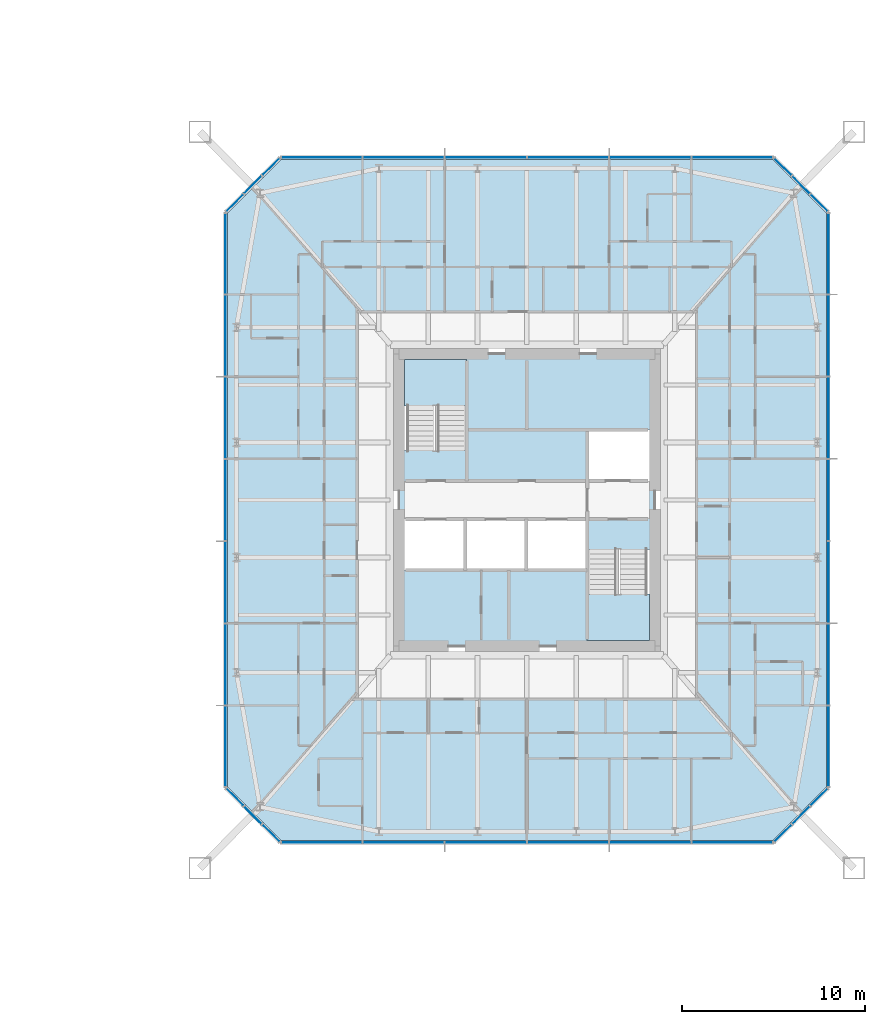
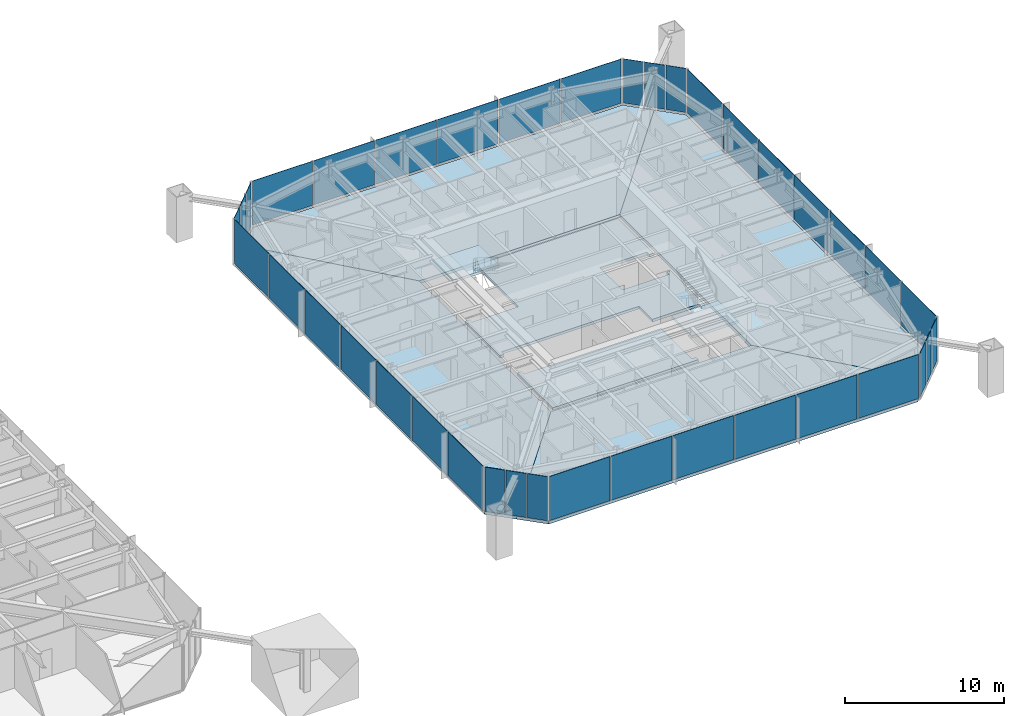
# One storey, part 13 of 26: 38 plates, 8 slabs, 10 elements without a shape of their own.
"""IFC4 building model written with IfcOpenShell, lengths in metres."""

from ifc_helpers import new_model, si_unit, direction, frame, origin, origin_2d, place, context, subcontext, project, spatial, polyline, rectangle, outline, extrude, material, layer, layer_set, constituent, constituent_set, type_object, element, aggregate, save


model = new_model("IFC4")

# Units and contexts
model_context = context("Model", 3, precision=1e-05, world=origin(), true_north=direction((0.0, 1.0)))
body_context = subcontext(model_context, "Body", "Model", "MODEL_VIEW")
ifc_project = project(units=[si_unit("LENGTHUNIT", "METRE"), si_unit("AREAUNIT", "SQUARE_METRE"), si_unit("VOLUMEUNIT", "CUBIC_METRE"), si_unit("PLANEANGLEUNIT", "RADIAN"), si_unit("MASSUNIT", "GRAM", prefix="KILO")], contexts=[model_context])

# Site, building, storey
site_placement = place(None, origin())
site = spatial("IfcSite", under=ifc_project, at=site_placement, CompositionType="ELEMENT")
building_placement = place(site_placement, origin())
building = spatial("IfcBuilding", under=site, at=building_placement, Name="Iwan Alto Co-Living Towers", CompositionType="ELEMENT")
storey_placement = place(building_placement, frame((0.0, 0.0, 18.5)))
storey = spatial("IfcBuildingStorey", under=building, at=storey_placement, Name="L04", CompositionType="ELEMENT", Elevation=18.5)

# Slabs
ifc_material_1 = material(Name="Concrete f'c 30 MPa", Category="concrete")
ifc_layer_1 = layer(ifc_material_1, 0.199951171875)
ifc_layer_set_1 = layer_set([ifc_layer_1], Name="CORE FLOOR SLAB 200")
slab_type_1 = type_object("IfcSlabType", Name="CORE FLOOR SLAB 200", PredefinedType="FLOOR", material=ifc_layer_set_1)
slab_1_placement = place(storey_placement, frame((0.0, 0.0, -0.199951171875)))
element("IfcSlab", 1, at=slab_1_placement, inside=storey, type_object=slab_type_1, Name="T2 core floor L04", PredefinedType="FLOOR", context=body_context, shape_type="SweptSolid", body=[
    extrude(outline(polyline([(70.0, -3.030029296875), (69.699951171875, -3.030029296875), (69.699951171875, -2.719970703125), (66.300048828125, -2.719970703125), (66.300048828125, -1.050048828125), (62.967041015625, -1.050048828125), (59.633056640625, -1.050048828125), (56.300048828125, -1.050048828125), (56.300048828125, -1.360107421875), (56.0, -1.360107421875), (56.0, 3.030029296875), (56.300048828125, 3.030029296875), (56.300048828125, 2.719970703125), (59.699951171875, 2.719970703125), (59.699951171875, 7.699951171875), (59.389892578125, 7.699951171875), (59.389892578125, 8.0), (70.0, 8.0), (70.0, 3.5400390625), (69.699951171875, 3.5400390625), (69.699951171875, 3.85009765625), (66.300048828125, 3.85009765625), (66.300048828125, 1.050048828125), (69.699951171875, 1.050048828125), (69.699951171875, 1.360107421875), (70.0, 1.360107421875), (70.0, -3.030029296875)])), origin(), (0.0, 0.0, 1.0), 0.199951171875),
])
slab_2_placement = place(storey_placement, frame((0.0, 0.0, -0.199951171875)))
element("IfcSlab", 2, at=slab_2_placement, inside=storey, type_object=slab_type_1, Name="T2 core floor L04", PredefinedType="FLOOR", context=body_context, shape_type="SweptSolid", body=[
    extrude(outline(polyline([(62.967041015625, -3.85009765625), (66.300048828125, -3.85009765625), (66.300048828125, -7.699951171875), (66.610107421875, -7.699951171875), (66.610107421875, -8.0), (56.0, -8.0), (56.0, -3.5400390625), (56.300048828125, -3.5400390625), (56.300048828125, -3.85009765625), (59.633056640625, -3.85009765625), (62.967041015625, -3.85009765625)])), origin(), (0.0, 0.0, 1.0), 0.199951171875),
])

# Curtain wall, plates
ifc_material_2 = material(Name="Bronze aluminium unitised frame", Category="aluminium")
curtain_wall_type_1 = type_object("IfcCurtainWallType", Name="CURTAIN WALL CW-C", PredefinedType="NOTDEFINED", material=ifc_material_2)
curtain_wall_1_placement = place(storey_placement, origin())
curtain_wall_1 = element("IfcCurtainWall", 3, at=curtain_wall_1_placement, inside=storey, type_object=curtain_wall_type_1, Name="T2 curtain wall S L04", PredefinedType="NOTDEFINED")
ifc_material_3 = material(Name="Bronze-tinted insulating glass", Category="glass")
ifc_layer_2 = layer(ifc_material_3, 0.031982421875)
ifc_layer_set_2 = layer_set([ifc_layer_2], Name="CW-C PANEL TINTED IGU 32")
plate_type_1 = type_object("IfcPlateType", Name="CW-C PANEL TINTED IGU 32", PredefinedType="CURTAIN_PANEL", material=ifc_layer_set_2)
plate_1_placement = place(storey_placement, frame((51.77001953125, -18.75, 0.10009765625), z_axis=(0.0, 0.0, 1.0), x_axis=(1.0, 0.0, 0.0)))
plate_1 = element("IfcPlate", 4, at=plate_1_placement, type_object=plate_type_1, Name="CW-C panel 1.1", PredefinedType="CURTAIN_PANEL", context=body_context, shape_type="SweptSolid", body=[
    extrude(rectangle(XDim=4.3798828125, YDim=0.031982421875, at=origin_2d()), origin(), (0.0, 0.0, 1.0), 3.39990234375),
])
plate_2_placement = place(storey_placement, frame((56.25, -18.75, 0.10009765625), z_axis=(0.0, 0.0, 1.0), x_axis=(1.0, 0.0, 0.0)))
plate_2 = element("IfcPlate", 5, at=plate_2_placement, type_object=plate_type_1, Name="CW-C panel 2.1", PredefinedType="CURTAIN_PANEL", context=body_context, shape_type="SweptSolid", body=[
    extrude(rectangle(XDim=4.419921875, YDim=0.031982421875, at=origin_2d()), origin(), (0.0, 0.0, 1.0), 3.39990234375),
])
plate_3_placement = place(storey_placement, frame((69.75, -18.75, 0.10009765625), z_axis=(0.0, 0.0, 1.0), x_axis=(1.0, 0.0, 0.0)))
plate_3 = element("IfcPlate", 6, at=plate_3_placement, type_object=plate_type_1, Name="CW-C panel 5.1", PredefinedType="CURTAIN_PANEL", context=body_context, shape_type="SweptSolid", body=[
    extrude(rectangle(XDim=4.419921875, YDim=0.031982421875, at=origin_2d()), origin(), (0.0, 0.0, 1.0), 3.39990234375),
])
plate_4_placement = place(storey_placement, frame((74.22998046875, -18.75, 0.10009765625), z_axis=(0.0, 0.0, 1.0), x_axis=(1.0, 0.0, 0.0)))
plate_4 = element("IfcPlate", 7, at=plate_4_placement, type_object=plate_type_1, Name="CW-C panel 6.1", PredefinedType="CURTAIN_PANEL", context=body_context, shape_type="SweptSolid", body=[
    extrude(rectangle(XDim=4.3798828125, YDim=0.031982421875, at=origin_2d()), origin(), (0.0, 0.0, 1.0), 3.39990234375),
])

curtain_wall_2_placement = place(storey_placement, origin())
curtain_wall_2 = element("IfcCurtainWall", 8, at=curtain_wall_2_placement, inside=storey, type_object=curtain_wall_type_1, Name="T2 curtain wall E L04", PredefinedType="NOTDEFINED")
plate_5_placement = place(storey_placement, frame((79.5, -13.47998046875, 0.10009765625), z_axis=(0.0, 0.0, 1.0), x_axis=(0.0, 1.0, 0.0)))
plate_5 = element("IfcPlate", 9, at=plate_5_placement, type_object=plate_type_1, Name="CW-C panel 1.1", PredefinedType="CURTAIN_PANEL", context=body_context, shape_type="SweptSolid", body=[
    extrude(rectangle(XDim=4.3798828125, YDim=0.031982421875, at=origin_2d()), origin(), (0.0, 0.0, 1.0), 3.39990234375),
])
plate_6_placement = place(storey_placement, frame((79.5, -9.0, 0.10009765625), z_axis=(0.0, 0.0, 1.0), x_axis=(0.0, 1.0, 0.0)))
plate_6 = element("IfcPlate", 10, at=plate_6_placement, type_object=plate_type_1, Name="CW-C panel 2.1", PredefinedType="CURTAIN_PANEL", context=body_context, shape_type="SweptSolid", body=[
    extrude(rectangle(XDim=4.419921875, YDim=0.031982421875, at=origin_2d()), origin(), (0.0, 0.0, 1.0), 3.39990234375),
])
plate_7_placement = place(storey_placement, frame((79.5, 9.0, 0.10009765625), z_axis=(0.0, 0.0, 1.0), x_axis=(0.0, 1.0, 0.0)))
plate_7 = element("IfcPlate", 11, at=plate_7_placement, type_object=plate_type_1, Name="CW-C panel 6.1", PredefinedType="CURTAIN_PANEL", context=body_context, shape_type="SweptSolid", body=[
    extrude(rectangle(XDim=4.419921875, YDim=0.031982421875, at=origin_2d()), origin(), (0.0, 0.0, 1.0), 3.39990234375),
])
plate_8_placement = place(storey_placement, frame((79.5, 13.47998046875, 0.10009765625), z_axis=(0.0, 0.0, 1.0), x_axis=(0.0, 1.0, 0.0)))
plate_8 = element("IfcPlate", 12, at=plate_8_placement, type_object=plate_type_1, Name="CW-C panel 7.1", PredefinedType="CURTAIN_PANEL", context=body_context, shape_type="SweptSolid", body=[
    extrude(rectangle(XDim=4.3798828125, YDim=0.031982421875, at=origin_2d()), origin(), (0.0, 0.0, 1.0), 3.39990234375),
])

curtain_wall_3_placement = place(storey_placement, origin())
curtain_wall_3 = element("IfcCurtainWall", 13, at=curtain_wall_3_placement, inside=storey, type_object=curtain_wall_type_1, Name="T2 curtain wall N L04", PredefinedType="NOTDEFINED")
plate_9_placement = place(storey_placement, frame((74.22998046875, 18.75, 0.10009765625), z_axis=(0.0, 0.0, 1.0), x_axis=(-1.0, 0.0, 0.0)))
plate_9 = element("IfcPlate", 14, at=plate_9_placement, type_object=plate_type_1, Name="CW-C panel 1.1", PredefinedType="CURTAIN_PANEL", context=body_context, shape_type="SweptSolid", body=[
    extrude(rectangle(XDim=4.3798828125, YDim=0.031982421875, at=origin_2d()), origin(), (0.0, 0.0, 1.0), 3.39990234375),
])
plate_10_placement = place(storey_placement, frame((69.75, 18.75, 0.10009765625), z_axis=(0.0, 0.0, 1.0), x_axis=(-1.0, 0.0, 0.0)))
plate_10 = element("IfcPlate", 15, at=plate_10_placement, type_object=plate_type_1, Name="CW-C panel 2.1", PredefinedType="CURTAIN_PANEL", context=body_context, shape_type="SweptSolid", body=[
    extrude(rectangle(XDim=4.419921875, YDim=0.031982421875, at=origin_2d()), origin(), (0.0, 0.0, 1.0), 3.39990234375),
])
plate_11_placement = place(storey_placement, frame((56.25, 18.75, 0.10009765625), z_axis=(0.0, 0.0, 1.0), x_axis=(-1.0, 0.0, 0.0)))
plate_11 = element("IfcPlate", 16, at=plate_11_placement, type_object=plate_type_1, Name="CW-C panel 5.1", PredefinedType="CURTAIN_PANEL", context=body_context, shape_type="SweptSolid", body=[
    extrude(rectangle(XDim=4.419921875, YDim=0.031982421875, at=origin_2d()), origin(), (0.0, 0.0, 1.0), 3.39990234375),
])
plate_12_placement = place(storey_placement, frame((51.77001953125, 18.75, 0.10009765625), z_axis=(0.0, 0.0, 1.0), x_axis=(-1.0, 0.0, 0.0)))
plate_12 = element("IfcPlate", 17, at=plate_12_placement, type_object=plate_type_1, Name="CW-C panel 6.1", PredefinedType="CURTAIN_PANEL", context=body_context, shape_type="SweptSolid", body=[
    extrude(rectangle(XDim=4.3798828125, YDim=0.031982421875, at=origin_2d()), origin(), (0.0, 0.0, 1.0), 3.39990234375),
])

curtain_wall_4_placement = place(storey_placement, origin())
curtain_wall_4 = element("IfcCurtainWall", 18, at=curtain_wall_4_placement, inside=storey, type_object=curtain_wall_type_1, Name="T2 curtain wall W L04", PredefinedType="NOTDEFINED")
plate_13_placement = place(storey_placement, frame((46.5, 13.47998046875, 0.10009765625), z_axis=(0.0, 0.0, 1.0), x_axis=(0.0, -1.0, 0.0)))
plate_13 = element("IfcPlate", 19, at=plate_13_placement, type_object=plate_type_1, Name="CW-C panel 1.1", PredefinedType="CURTAIN_PANEL", context=body_context, shape_type="SweptSolid", body=[
    extrude(rectangle(XDim=4.3798828125, YDim=0.031982421875, at=origin_2d()), origin(), (0.0, 0.0, 1.0), 3.39990234375),
])
plate_14_placement = place(storey_placement, frame((46.5, 9.0, 0.10009765625), z_axis=(0.0, 0.0, 1.0), x_axis=(0.0, -1.0, 0.0)))
plate_14 = element("IfcPlate", 20, at=plate_14_placement, type_object=plate_type_1, Name="CW-C panel 2.1", PredefinedType="CURTAIN_PANEL", context=body_context, shape_type="SweptSolid", body=[
    extrude(rectangle(XDim=4.419921875, YDim=0.031982421875, at=origin_2d()), origin(), (0.0, 0.0, 1.0), 3.39990234375),
])
plate_15_placement = place(storey_placement, frame((46.5, -9.0, 0.10009765625), z_axis=(0.0, 0.0, 1.0), x_axis=(0.0, -1.0, 0.0)))
plate_15 = element("IfcPlate", 21, at=plate_15_placement, type_object=plate_type_1, Name="CW-C panel 6.1", PredefinedType="CURTAIN_PANEL", context=body_context, shape_type="SweptSolid", body=[
    extrude(rectangle(XDim=4.419921875, YDim=0.031982421875, at=origin_2d()), origin(), (0.0, 0.0, 1.0), 3.39990234375),
])
plate_16_placement = place(storey_placement, frame((46.5, -13.47998046875, 0.10009765625), z_axis=(0.0, 0.0, 1.0), x_axis=(0.0, -1.0, 0.0)))
plate_16 = element("IfcPlate", 22, at=plate_16_placement, type_object=plate_type_1, Name="CW-C panel 7.1", PredefinedType="CURTAIN_PANEL", context=body_context, shape_type="SweptSolid", body=[
    extrude(rectangle(XDim=4.3798828125, YDim=0.031982421875, at=origin_2d()), origin(), (0.0, 0.0, 1.0), 3.39990234375),
])

# Plate
ifc_material_4 = material(Name="Insulated bronze aluminium spandrel panel", Category="aluminium")
ifc_layer_3 = layer(ifc_material_4, 0.031982421875)
ifc_layer_set_3 = layer_set([ifc_layer_3], Name="CW-C SPANDREL PANEL 32")
plate_type_2 = type_object("IfcPlateType", Name="CW-C SPANDREL PANEL 32", PredefinedType="CURTAIN_PANEL", material=ifc_layer_set_3)
plate_17_placement = place(storey_placement, frame((60.75, -18.75, 0.10009765625), z_axis=(0.0, 0.0, 1.0), x_axis=(1.0, 0.0, 0.0)))
plate_17 = element("IfcPlate", 23, at=plate_17_placement, type_object=plate_type_2, Name="CW-C spandrel panel 3.1 (braced bay)", PredefinedType="CURTAIN_PANEL", context=body_context, shape_type="SweptSolid", body=[
    extrude(rectangle(XDim=4.419921875, YDim=0.031982421875, at=origin_2d()), origin(), (0.0, 0.0, 1.0), 3.39990234375),
])

plate_18_placement = place(storey_placement, frame((65.25, -18.75, 0.10009765625), z_axis=(0.0, 0.0, 1.0), x_axis=(1.0, 0.0, 0.0)))
plate_18 = element("IfcPlate", 24, at=plate_18_placement, type_object=plate_type_2, Name="CW-C spandrel panel 4.1 (braced bay)", PredefinedType="CURTAIN_PANEL", context=body_context, shape_type="SweptSolid", body=[
    extrude(rectangle(XDim=4.419921875, YDim=0.031982421875, at=origin_2d()), origin(), (0.0, 0.0, 1.0), 3.39990234375),
])

aggregate(curtain_wall_1, [plate_1, plate_2, plate_3, plate_4, plate_17, plate_18])

plate_19_placement = place(storey_placement, frame((79.5, -4.5, 0.10009765625), z_axis=(0.0, 0.0, 1.0), x_axis=(0.0, 1.0, 0.0)))
plate_19 = element("IfcPlate", 25, at=plate_19_placement, type_object=plate_type_2, Name="CW-C spandrel panel 3.1 (braced bay)", PredefinedType="CURTAIN_PANEL", context=body_context, shape_type="SweptSolid", body=[
    extrude(rectangle(XDim=4.419921875, YDim=0.031982421875, at=origin_2d()), origin(), (0.0, 0.0, 1.0), 3.39990234375),
])

plate_20_placement = place(storey_placement, frame((79.5, 0.0, 0.10009765625), z_axis=(0.0, 0.0, 1.0), x_axis=(0.0, 1.0, 0.0)))
plate_20 = element("IfcPlate", 26, at=plate_20_placement, type_object=plate_type_2, Name="CW-C spandrel panel 4.1 (braced bay)", PredefinedType="CURTAIN_PANEL", context=body_context, shape_type="SweptSolid", body=[
    extrude(rectangle(XDim=4.419921875, YDim=0.031982421875, at=origin_2d()), origin(), (0.0, 0.0, 1.0), 3.39990234375),
])

plate_21_placement = place(storey_placement, frame((79.5, 4.5, 0.10009765625), z_axis=(0.0, 0.0, 1.0), x_axis=(0.0, 1.0, 0.0)))
plate_21 = element("IfcPlate", 27, at=plate_21_placement, type_object=plate_type_2, Name="CW-C spandrel panel 5.1 (braced bay)", PredefinedType="CURTAIN_PANEL", context=body_context, shape_type="SweptSolid", body=[
    extrude(rectangle(XDim=4.419921875, YDim=0.031982421875, at=origin_2d()), origin(), (0.0, 0.0, 1.0), 3.39990234375),
])

aggregate(curtain_wall_2, [plate_5, plate_6, plate_7, plate_8, plate_19, plate_20, plate_21])

plate_22_placement = place(storey_placement, frame((65.25, 18.75, 0.10009765625), z_axis=(0.0, 0.0, 1.0), x_axis=(-1.0, 0.0, 0.0)))
plate_22 = element("IfcPlate", 28, at=plate_22_placement, type_object=plate_type_2, Name="CW-C spandrel panel 3.1 (braced bay)", PredefinedType="CURTAIN_PANEL", context=body_context, shape_type="SweptSolid", body=[
    extrude(rectangle(XDim=4.419921875, YDim=0.031982421875, at=origin_2d()), origin(), (0.0, 0.0, 1.0), 3.39990234375),
])

plate_23_placement = place(storey_placement, frame((60.75, 18.75, 0.10009765625), z_axis=(0.0, 0.0, 1.0), x_axis=(-1.0, 0.0, 0.0)))
plate_23 = element("IfcPlate", 29, at=plate_23_placement, type_object=plate_type_2, Name="CW-C spandrel panel 4.1 (braced bay)", PredefinedType="CURTAIN_PANEL", context=body_context, shape_type="SweptSolid", body=[
    extrude(rectangle(XDim=4.419921875, YDim=0.031982421875, at=origin_2d()), origin(), (0.0, 0.0, 1.0), 3.39990234375),
])

aggregate(curtain_wall_3, [plate_9, plate_10, plate_11, plate_12, plate_22, plate_23])

plate_24_placement = place(storey_placement, frame((46.5, 4.5, 0.10009765625), z_axis=(0.0, 0.0, 1.0), x_axis=(0.0, -1.0, 0.0)))
plate_24 = element("IfcPlate", 30, at=plate_24_placement, type_object=plate_type_2, Name="CW-C spandrel panel 3.1 (braced bay)", PredefinedType="CURTAIN_PANEL", context=body_context, shape_type="SweptSolid", body=[
    extrude(rectangle(XDim=4.419921875, YDim=0.031982421875, at=origin_2d()), origin(), (0.0, 0.0, 1.0), 3.39990234375),
])

plate_25_placement = place(storey_placement, frame((46.5, 0.0, 0.10009765625), z_axis=(0.0, 0.0, 1.0), x_axis=(0.0, -1.0, 0.0)))
plate_25 = element("IfcPlate", 31, at=plate_25_placement, type_object=plate_type_2, Name="CW-C spandrel panel 4.1 (braced bay)", PredefinedType="CURTAIN_PANEL", context=body_context, shape_type="SweptSolid", body=[
    extrude(rectangle(XDim=4.419921875, YDim=0.031982421875, at=origin_2d()), origin(), (0.0, 0.0, 1.0), 3.39990234375),
])

plate_26_placement = place(storey_placement, frame((46.5, -4.5, 0.10009765625), z_axis=(0.0, 0.0, 1.0), x_axis=(0.0, -1.0, 0.0)))
plate_26 = element("IfcPlate", 32, at=plate_26_placement, type_object=plate_type_2, Name="CW-C spandrel panel 5.1 (braced bay)", PredefinedType="CURTAIN_PANEL", context=body_context, shape_type="SweptSolid", body=[
    extrude(rectangle(XDim=4.419921875, YDim=0.031982421875, at=origin_2d()), origin(), (0.0, 0.0, 1.0), 3.39990234375),
])

aggregate(curtain_wall_4, [plate_13, plate_14, plate_15, plate_16, plate_24, plate_25, plate_26])

# Curtain wall, plates
ifc_material_5 = material(Name="Bronze aluminium unitised frame", Category="aluminium")
curtain_wall_type_2 = type_object("IfcCurtainWallType", Name="CURTAIN WALL CW-D", PredefinedType="NOTDEFINED", material=ifc_material_5)
curtain_wall_5_placement = place(storey_placement, origin())
curtain_wall_5 = element("IfcCurtainWall", 33, at=curtain_wall_5_placement, inside=storey, type_object=curtain_wall_type_2, Name="T2 chamfer curtain wall SE L04", PredefinedType="NOTDEFINED")
ifc_material_6 = material(Name="Bronze-tinted insulating glass", Category="glass")
ifc_layer_4 = layer(ifc_material_6, 0.031982421875)
ifc_layer_set_4 = layer_set([ifc_layer_4], Name="CW-D PANEL TINTED IGU 32")
plate_type_3 = type_object("IfcPlateType", Name="CW-D PANEL TINTED IGU 32", PredefinedType="CURTAIN_PANEL", material=ifc_layer_set_4)
plate_27_placement = place(storey_placement, frame((77.01416015625, -18.23583984375, 0.10009765625), z_axis=(0.0, 0.0, 1.0), x_axis=(0.707106781187, 0.707106781187, 0.0)))
plate_27 = element("IfcPlate", 34, at=plate_27_placement, type_object=plate_type_3, Name="CW-D panel 1.1", PredefinedType="CURTAIN_PANEL", context=body_context, shape_type="SweptSolid", body=[
    extrude(rectangle(XDim=1.294189453125, YDim=0.031982421875, at=origin_2d()), origin(), (0.0, 0.0, 1.0), 3.39990234375),
])
plate_28_placement = place(storey_placement, frame((78.0, -17.25, 0.10009765625), z_axis=(0.0, 0.0, 1.0), x_axis=(0.707106781187, 0.707106781187, 0.0)))
plate_28 = element("IfcPlate", 35, at=plate_28_placement, type_object=plate_type_3, Name="CW-D panel 2.1", PredefinedType="CURTAIN_PANEL", context=body_context, shape_type="SweptSolid", body=[
    extrude(rectangle(XDim=1.334228515625, YDim=0.031982421875, at=origin_2d()), origin(), (0.0, 0.0, 1.0), 3.39990234375),
])
plate_29_placement = place(storey_placement, frame((78.98583984375, -16.26416015625, 0.10009765625), z_axis=(0.0, 0.0, 1.0), x_axis=(0.707106781187, 0.707106781187, 0.0)))
plate_29 = element("IfcPlate", 36, at=plate_29_placement, type_object=plate_type_3, Name="CW-D panel 3.1", PredefinedType="CURTAIN_PANEL", context=body_context, shape_type="SweptSolid", body=[
    extrude(rectangle(XDim=1.294189453125, YDim=0.031982421875, at=origin_2d()), origin(), (0.0, 0.0, 1.0), 3.39990234375),
])
aggregate(curtain_wall_5, [plate_27, plate_28, plate_29])

curtain_wall_6_placement = place(storey_placement, origin())
curtain_wall_6 = element("IfcCurtainWall", 37, at=curtain_wall_6_placement, inside=storey, type_object=curtain_wall_type_2, Name="T2 chamfer curtain wall NE L04", PredefinedType="NOTDEFINED")
plate_30_placement = place(storey_placement, frame((78.98583984375, 16.26416015625, 0.10009765625), z_axis=(0.0, 0.0, 1.0), x_axis=(-0.707106781187, 0.707106781187, 0.0)))
plate_30 = element("IfcPlate", 38, at=plate_30_placement, type_object=plate_type_3, Name="CW-D panel 1.1", PredefinedType="CURTAIN_PANEL", context=body_context, shape_type="SweptSolid", body=[
    extrude(rectangle(XDim=1.294189453125, YDim=0.031982421875, at=origin_2d()), origin(), (0.0, 0.0, 1.0), 3.39990234375),
])
plate_31_placement = place(storey_placement, frame((78.0, 17.25, 0.10009765625), z_axis=(0.0, 0.0, 1.0), x_axis=(-0.707106781187, 0.707106781187, 0.0)))
plate_31 = element("IfcPlate", 39, at=plate_31_placement, type_object=plate_type_3, Name="CW-D panel 2.1", PredefinedType="CURTAIN_PANEL", context=body_context, shape_type="SweptSolid", body=[
    extrude(rectangle(XDim=1.334228515625, YDim=0.031982421875, at=origin_2d()), origin(), (0.0, 0.0, 1.0), 3.39990234375),
])
plate_32_placement = place(storey_placement, frame((77.01416015625, 18.23583984375, 0.10009765625), z_axis=(0.0, 0.0, 1.0), x_axis=(-0.707106781187, 0.707106781187, 0.0)))
plate_32 = element("IfcPlate", 40, at=plate_32_placement, type_object=plate_type_3, Name="CW-D panel 3.1", PredefinedType="CURTAIN_PANEL", context=body_context, shape_type="SweptSolid", body=[
    extrude(rectangle(XDim=1.294189453125, YDim=0.031982421875, at=origin_2d()), origin(), (0.0, 0.0, 1.0), 3.39990234375),
])
aggregate(curtain_wall_6, [plate_30, plate_31, plate_32])

curtain_wall_7_placement = place(storey_placement, origin())
curtain_wall_7 = element("IfcCurtainWall", 41, at=curtain_wall_7_placement, inside=storey, type_object=curtain_wall_type_2, Name="T2 chamfer curtain wall NW L04", PredefinedType="NOTDEFINED")
plate_33_placement = place(storey_placement, frame((48.98583984375, 18.23583984375, 0.10009765625), z_axis=(0.0, 0.0, 1.0), x_axis=(-0.707106781187, -0.707106781187, 0.0)))
plate_33 = element("IfcPlate", 42, at=plate_33_placement, type_object=plate_type_3, Name="CW-D panel 1.1", PredefinedType="CURTAIN_PANEL", context=body_context, shape_type="SweptSolid", body=[
    extrude(rectangle(XDim=1.294189453125, YDim=0.031982421875, at=origin_2d()), origin(), (0.0, 0.0, 1.0), 3.39990234375),
])
plate_34_placement = place(storey_placement, frame((48.0, 17.25, 0.10009765625), z_axis=(0.0, 0.0, 1.0), x_axis=(-0.707106781187, -0.707106781187, 0.0)))
plate_34 = element("IfcPlate", 43, at=plate_34_placement, type_object=plate_type_3, Name="CW-D panel 2.1", PredefinedType="CURTAIN_PANEL", context=body_context, shape_type="SweptSolid", body=[
    extrude(rectangle(XDim=1.334228515625, YDim=0.031982421875, at=origin_2d()), origin(), (0.0, 0.0, 1.0), 3.39990234375),
])
plate_35_placement = place(storey_placement, frame((47.01416015625, 16.26416015625, 0.10009765625), z_axis=(0.0, 0.0, 1.0), x_axis=(-0.707106781187, -0.707106781187, 0.0)))
plate_35 = element("IfcPlate", 44, at=plate_35_placement, type_object=plate_type_3, Name="CW-D panel 3.1", PredefinedType="CURTAIN_PANEL", context=body_context, shape_type="SweptSolid", body=[
    extrude(rectangle(XDim=1.294189453125, YDim=0.031982421875, at=origin_2d()), origin(), (0.0, 0.0, 1.0), 3.39990234375),
])
aggregate(curtain_wall_7, [plate_33, plate_34, plate_35])

curtain_wall_8_placement = place(storey_placement, origin())
curtain_wall_8 = element("IfcCurtainWall", 45, at=curtain_wall_8_placement, inside=storey, type_object=curtain_wall_type_2, Name="T2 chamfer curtain wall SW L04", PredefinedType="NOTDEFINED")
plate_36_placement = place(storey_placement, frame((47.01416015625, -16.26416015625, 0.10009765625), z_axis=(0.0, 0.0, 1.0), x_axis=(0.707106781187, -0.707106781187, 0.0)))
plate_36 = element("IfcPlate", 46, at=plate_36_placement, type_object=plate_type_3, Name="CW-D panel 1.1", PredefinedType="CURTAIN_PANEL", context=body_context, shape_type="SweptSolid", body=[
    extrude(rectangle(XDim=1.294189453125, YDim=0.031982421875, at=origin_2d()), origin(), (0.0, 0.0, 1.0), 3.39990234375),
])
plate_37_placement = place(storey_placement, frame((48.0, -17.25, 0.10009765625), z_axis=(0.0, 0.0, 1.0), x_axis=(0.707106781187, -0.707106781187, 0.0)))
plate_37 = element("IfcPlate", 47, at=plate_37_placement, type_object=plate_type_3, Name="CW-D panel 2.1", PredefinedType="CURTAIN_PANEL", context=body_context, shape_type="SweptSolid", body=[
    extrude(rectangle(XDim=1.334228515625, YDim=0.031982421875, at=origin_2d()), origin(), (0.0, 0.0, 1.0), 3.39990234375),
])
plate_38_placement = place(storey_placement, frame((48.98583984375, -18.23583984375, 0.10009765625), z_axis=(0.0, 0.0, 1.0), x_axis=(0.707106781187, -0.707106781187, 0.0)))
plate_38 = element("IfcPlate", 48, at=plate_38_placement, type_object=plate_type_3, Name="CW-D panel 3.1", PredefinedType="CURTAIN_PANEL", context=body_context, shape_type="SweptSolid", body=[
    extrude(rectangle(XDim=1.294189453125, YDim=0.031982421875, at=origin_2d()), origin(), (0.0, 0.0, 1.0), 3.39990234375),
])
aggregate(curtain_wall_8, [plate_36, plate_37, plate_38])

# Stair, slab
ifc_material_7 = material(Name="Steel ASTM A36", Category="steel")
ifc_constituent_1 = constituent(ifc_material_7, Name="Stringers", Category="LoadBearing")
ifc_material_8 = material(Name="Concrete f'c 30 MPa", Category="concrete")
ifc_constituent_2 = constituent(ifc_material_8, Name="Tread fill", Category="Finish")
ifc_constituent_set = constituent_set(constituents=[ifc_constituent_1, ifc_constituent_2], Name="STAIR 3500 TWO-FLIGHT T2 CORE")
stair_type = type_object("IfcStairType", Name="STAIR 3500 TWO-FLIGHT T2 CORE", PredefinedType="HALF_TURN_STAIR", material=ifc_constituent_set)
stair_1_placement = place(storey_placement, origin())
stair_1 = element("IfcStair", 49, at=stair_1_placement, inside=storey, type_object=stair_type, Name="Stair T2-S1 L04 to L05", PredefinedType="HALF_TURN_STAIR")
ifc_material_9 = material(Name="Concrete f'c 30 MPa", Category="concrete")
ifc_layer_5 = layer(ifc_material_9, 0.199951171875)
ifc_layer_set_5 = layer_set([ifc_layer_5], Name="STAIR LANDING 200")
slab_type_2 = type_object("IfcSlabType", Name="STAIR LANDING 200", PredefinedType="LANDING", material=ifc_layer_set_5)
slab_3_placement = place(storey_placement, frame((0.0, 0.0, 1.550048828125)))
slab_3 = element("IfcSlab", 50, at=slab_3_placement, type_object=slab_type_2, Name="T2-S1 landing 1", PredefinedType="LANDING", context=body_context, shape_type="SweptSolid", body=[
    extrude(outline(polyline([(56.300048828125, 5.139892578125), (56.300048828125, 7.699951171875), (59.699951171875, 7.699951171875), (59.699951171875, 5.139892578125), (56.300048828125, 5.139892578125)])), origin(), (0.0, 0.0, 1.0), 0.199951171875),
])
aggregate(stair_1, [slab_3])

stair_2_placement = place(storey_placement, origin())
stair_2 = element("IfcStair", 51, at=stair_2_placement, inside=storey, type_object=stair_type, Name="Stair T2-S2 L04 to L05", PredefinedType="HALF_TURN_STAIR")
slab_4_placement = place(storey_placement, frame((0.0, 0.0, 1.550048828125)))
slab_4 = element("IfcSlab", 52, at=slab_4_placement, type_object=slab_type_2, Name="T2-S2 landing 1", PredefinedType="LANDING", context=body_context, shape_type="SweptSolid", body=[
    extrude(outline(polyline([(66.300048828125, -5.139892578125), (66.300048828125, -7.699951171875), (69.699951171875, -7.699951171875), (69.699951171875, -5.139892578125), (66.300048828125, -5.139892578125)])), origin(), (0.0, 0.0, 1.0), 0.199951171875),
])
aggregate(stair_2, [slab_4])

# Slabs
ifc_material_10 = material(Name="Concrete f'c 30 MPa", Category="concrete")
ifc_layer_6 = layer(ifc_material_10, 0.22998046875)
ifc_layer_set_6 = layer_set([ifc_layer_6], Name="T2 FLOOR SLAB 230")
slab_type_3 = type_object("IfcSlabType", Name="T2 FLOOR SLAB 230", PredefinedType="FLOOR", material=ifc_layer_set_6)
slab_5_placement = place(storey_placement, frame((0.0, 0.0, -0.22998046875)))
element("IfcSlab", 53, at=slab_5_placement, inside=storey, type_object=slab_type_3, Name="T2 floor slab L04 S pour", PredefinedType="FLOOR", context=body_context, shape_type="SweptSolid", body=[
    extrude(outline(polyline([(76.44140625, -18.64990234375), (49.55859375, -18.64990234375), (48.07568359375, -17.1669921875), (55.699951171875, -8.300048828125), (70.300048828125, -8.300048828125), (77.92431640625, -17.1669921875), (76.44140625, -18.64990234375)])), origin(), (0.0, 0.0, 1.0), 0.22998046875),
])
slab_6_placement = place(storey_placement, frame((0.0, 0.0, -0.22998046875)))
element("IfcSlab", 54, at=slab_6_placement, inside=storey, type_object=slab_type_3, Name="T2 floor slab L04 E pour", PredefinedType="FLOOR", context=body_context, shape_type="SweptSolid", body=[
    extrude(outline(polyline([(79.39990234375, 15.69140625), (79.39990234375, -15.69140625), (77.92431640625, -17.1669921875), (70.300048828125, -8.300048828125), (70.300048828125, 8.300048828125), (77.92431640625, 17.1669921875), (79.39990234375, 15.69140625)])), origin(), (0.0, 0.0, 1.0), 0.22998046875),
])
slab_7_placement = place(storey_placement, frame((0.0, 0.0, -0.22998046875)))
element("IfcSlab", 55, at=slab_7_placement, inside=storey, type_object=slab_type_3, Name="T2 floor slab L04 N pour", PredefinedType="FLOOR", context=body_context, shape_type="SweptSolid", body=[
    extrude(outline(polyline([(49.55859375, 18.64990234375), (76.44140625, 18.64990234375), (77.92431640625, 17.1669921875), (70.300048828125, 8.300048828125), (55.699951171875, 8.300048828125), (48.07568359375, 17.1669921875), (49.55859375, 18.64990234375)])), origin(), (0.0, 0.0, 1.0), 0.22998046875),
])
slab_8_placement = place(storey_placement, frame((0.0, 0.0, -0.22998046875)))
element("IfcSlab", 56, at=slab_8_placement, inside=storey, type_object=slab_type_3, Name="T2 floor slab L04 W pour", PredefinedType="FLOOR", context=body_context, shape_type="SweptSolid", body=[
    extrude(outline(polyline([(46.60009765625, 15.69140625), (48.07568359375, 17.1669921875), (55.699951171875, 8.300048828125), (55.699951171875, -8.300048828125), (48.07568359375, -17.1669921875), (46.60009765625, -15.69140625), (46.60009765625, 15.69140625)])), origin(), (0.0, 0.0, 1.0), 0.22998046875),
])

save(model, "model.ifc")
